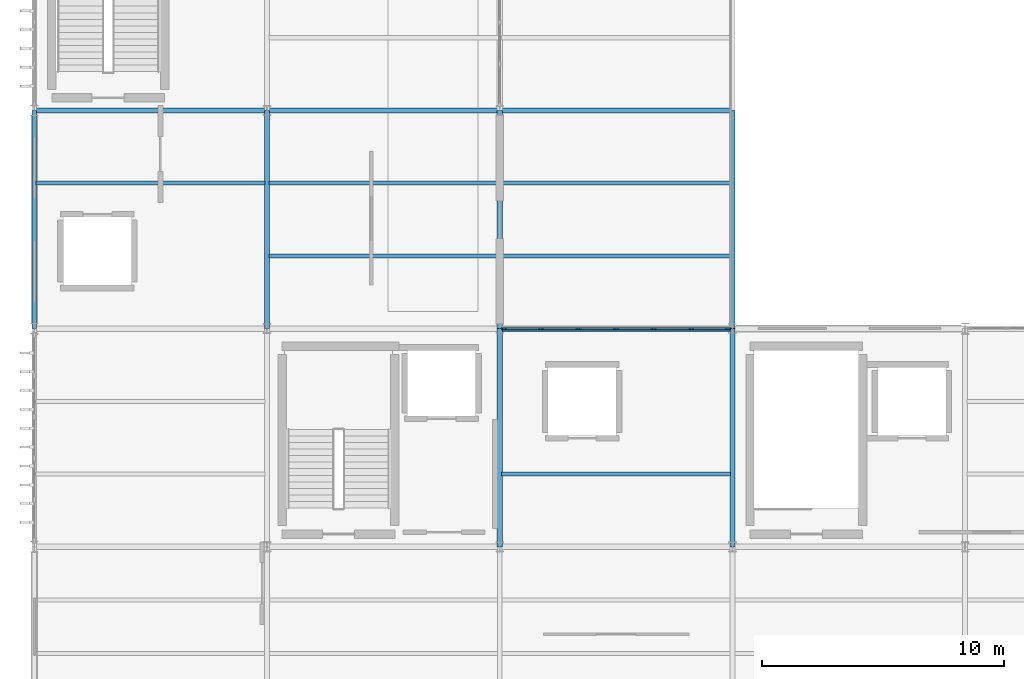
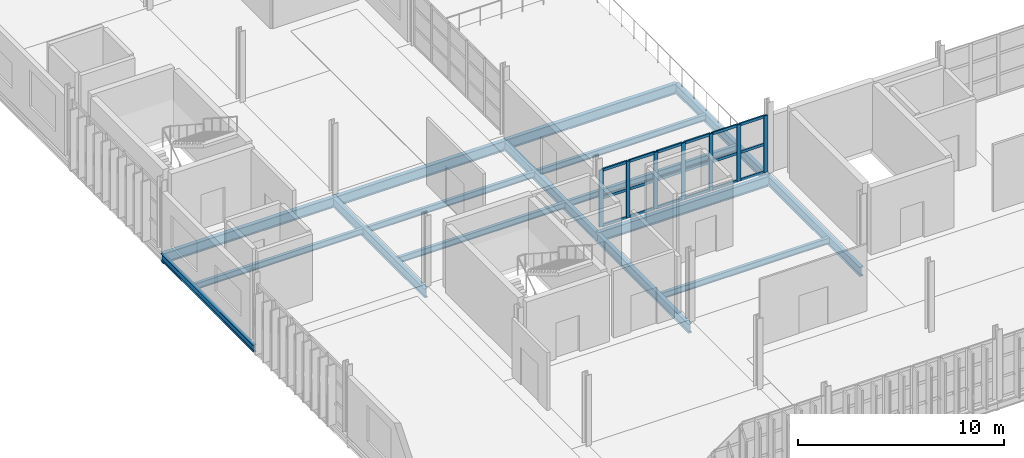
# One storey, part 7 of 38: 25 members, 16 beams, 1 element without a shape of its own.
"""IFC4 building model written with IfcOpenShell, lengths in metres."""

from ifc_helpers import new_model, si_unit, direction, frame, origin, origin_2d, place, context, subcontext, project, spatial, rectangle, i_section, extrude, material, layer, layer_set, material_profile, profile_set, type_object, element, aggregate, save


model = new_model("IFC4")

# Units and contexts
model_context = context("Model", 3, precision=1e-05, world=origin(), true_north=direction((0.0, 1.0)))
body_context = subcontext(model_context, "Body", "Model", "MODEL_VIEW")
ifc_project = project(units=[si_unit("LENGTHUNIT", "METRE"), si_unit("AREAUNIT", "SQUARE_METRE"), si_unit("VOLUMEUNIT", "CUBIC_METRE"), si_unit("PLANEANGLEUNIT", "RADIAN"), si_unit("MASSUNIT", "GRAM", prefix="KILO")], contexts=[model_context])

# Site, building, storey
site_placement = place(None, origin())
site = spatial("IfcSite", under=ifc_project, at=site_placement, CompositionType="ELEMENT")
building_placement = place(site_placement, origin())
building = spatial("IfcBuilding", under=site, at=building_placement, Name="Zarnetskaya Central Station", CompositionType="ELEMENT")
storey_placement = place(building_placement, frame((0.0, 0.0, 18.60009765625)))
storey = spatial("IfcBuildingStorey", under=building, at=storey_placement, Name="L04", CompositionType="ELEMENT", Elevation=18.60009765625)

# Beams
ifc_material_1 = material(Name="Steel S355", Category="steel")
ifc_material_profile_1 = material_profile(ifc_material_1, i_section(OverallWidth=0.169921875, OverallDepth=0.360107421875, WebThickness=0.008056640625, FlangeThickness=0.0126953125, FilletRadius=0.01806640625, at=origin_2d()), Name="IPE 360")
ifc_profile_set_1 = profile_set([ifc_material_profile_1], Name="Steel S355")
beam_type_1 = type_object("IfcBeamType", Name="BM-SEC-360", PredefinedType="BEAM", material=ifc_profile_set_1)
beam_1_placement = place(storey_placement, frame((0.080078125, 28.199951171875, -0.420166015625), z_axis=(1.0, 0.0, 0.0), x_axis=(0.0, 1.0, 0.0)))
element("IfcBeam", 1, at=beam_1_placement, inside=storey, type_object=beam_type_1, Name="Secondary floor beam SEC-L04-Z1836-AB-45-2", PredefinedType="BEAM", context=body_context, shape_type="SweptSolid", body=[
    extrude(i_section(OverallWidth=0.169921875, OverallDepth=0.360107421875, WebThickness=0.008056640625, FlangeThickness=0.0126953125, FilletRadius=0.01806640625, at=origin_2d()), origin(), (0.0, 0.0, 1.0), 9.43994140625),
])
for number, where, z_axis, x_axis, name in (
    (2, (9.679931640625, 25.199951171875, -0.420166015625), (1.0, 0.0, 0.0), (0.0, 1.0, 0.0), "Secondary floor beam SEC-L04-Z1836-BC-45-1"),
    (3, (9.679931640625, 28.199951171875, -0.420166015625), (1.0, 0.0, 0.0), (0.0, 1.0, 0.0), "Secondary floor beam SEC-L04-Z1836-BC-45-2"),
):
    element("IfcBeam", number, at=place(storey_placement, frame(where, z_axis=z_axis, x_axis=x_axis)), inside=storey, type_object=beam_type_1, Name=name, PredefinedType="BEAM", context=body_context, shape_type="SweptSolid", body=[
        extrude(i_section(OverallWidth=0.169921875, OverallDepth=0.360107421875, WebThickness=0.008056640625, FlangeThickness=0.0126953125, FilletRadius=0.01806640625, at=origin_2d()), origin(), (0.0, 0.0, 1.0), 9.440185546875),
    ])
for number, where, z_axis, x_axis, name in (
    (4, (19.280029296875, 16.199951171875, -0.420166015625), (1.0, 0.0, 0.0), (0.0, 1.0, 0.0), "Secondary floor beam SEC-L04-Z1836-CD-34-1"),
    (5, (19.280029296875, 25.199951171875, -0.400146484375), (1.0, 0.0, 0.0), (0.0, 1.0, 0.0), "Secondary floor beam SEC-L04-Z1838-CD-45-1"),
    (6, (19.280029296875, 28.199951171875, -0.400146484375), (1.0, 0.0, 0.0), (0.0, 1.0, 0.0), "Secondary floor beam SEC-L04-Z1838-CD-45-2"),
):
    element("IfcBeam", number, at=place(storey_placement, frame(where, z_axis=z_axis, x_axis=x_axis)), inside=storey, type_object=beam_type_1, Name=name, PredefinedType="BEAM", context=body_context, shape_type="SweptSolid", body=[
        extrude(i_section(OverallWidth=0.169921875, OverallDepth=0.360107421875, WebThickness=0.008056640625, FlangeThickness=0.0126953125, FilletRadius=0.01806640625, at=origin_2d()), origin(), (0.0, 0.0, 1.0), 9.43994140625),
    ])
ifc_material_profile_2 = material_profile(ifc_material_1, i_section(OverallWidth=0.179931640625, OverallDepth=0.39990234375, WebThickness=0.008544921875, FlangeThickness=0.013427734375, FilletRadius=0.02099609375, at=origin_2d()), Name="IPE 400")
ifc_profile_set_2 = profile_set([ifc_material_profile_2], Name="Steel S355")
beam_type_2 = type_object("IfcBeamType", Name="BM-SPN-V5", PredefinedType="SPANDREL", material=ifc_profile_set_2)
beam_2_placement = place(storey_placement, frame((0.0, 22.199951171875, -0.440185546875), z_axis=(0.0, 1.0, 0.0), x_axis=(-1.0, 0.0, 0.0)))
element("IfcBeam", 7, at=beam_2_placement, inside=storey, type_object=beam_type_2, Name="Grid girder GY-L04-A-45", PredefinedType="SPANDREL", context=body_context, shape_type="SweptSolid", body=[
    extrude(i_section(OverallWidth=0.179931640625, OverallDepth=0.39990234375, WebThickness=0.008544921875, FlangeThickness=0.013427734375, FilletRadius=0.02099609375, at=origin_2d()), origin(), (0.0, 0.0, 1.0), 9.0),
])

# Curtain wall, members
ifc_material_2 = material(Name="Low-E insulated glass", Category="glass")
ifc_layer = layer(ifc_material_2, 0.159912109375, Name="Low-E insulated glass", Category="glass")
ifc_layer_set = layer_set([ifc_layer], Name="Low-E insulated glass")
curtain_wall_type = type_object("IfcCurtainWallType", Name="CW-SYS-06", PredefinedType="USERDEFINED", material=ifc_layer_set)
curtain_wall_placement = place(storey_placement, origin())
curtain_wall = element("IfcCurtainWall", 8, at=curtain_wall_placement, inside=storey, type_object=curtain_wall_type, Name="Curtain wall CW-L04-054", ObjectType="CURTAIN WALL", PredefinedType="USERDEFINED")
ifc_material_3 = material(Name="Anodised aluminium", Category="aluminium")
ifc_material_profile_3 = material_profile(ifc_material_3, rectangle(XDim=0.080078125, YDim=0.219970703125, at=origin_2d()), Name="ALU MULL 80x220")
ifc_profile_set_3 = profile_set([ifc_material_profile_3], Name="Anodised aluminium")
member_type_1 = type_object("IfcMemberType", Name="CW-MULL-220", PredefinedType="MULLION", material=ifc_profile_set_3)
member_1_placement = place(storey_placement, frame((19.389892578125, 22.199951171875, 0.0), z_axis=(0.0, 0.0, 1.0), x_axis=(0.0, 1.0, 0.0)))
member_1 = element("IfcMember", 9, at=member_1_placement, type_object=member_type_1, Name="CW-02 mullion 1", PredefinedType="MULLION", context=body_context, shape_type="SweptSolid", body=[
    extrude(rectangle(XDim=0.080078125, YDim=0.219970703125, at=origin_2d()), origin(), (0.0, 0.0, 1.0), 3.35986328125),
])
member_2_placement = place(storey_placement, frame((20.89990234375, 22.199951171875, 0.0), z_axis=(0.0, 0.0, 1.0), x_axis=(0.0, 1.0, 0.0)))
member_2 = element("IfcMember", 10, at=member_2_placement, type_object=member_type_1, Name="CW-02 mullion 2", PredefinedType="MULLION", context=body_context, shape_type="SweptSolid", body=[
    extrude(rectangle(XDim=0.080078125, YDim=0.219970703125, at=origin_2d()), origin(), (0.0, 0.0, 1.0), 3.35986328125),
])
member_3_placement = place(storey_placement, frame((22.449951171875, 22.199951171875, 0.0), z_axis=(0.0, 0.0, 1.0), x_axis=(0.0, 1.0, 0.0)))
member_3 = element("IfcMember", 11, at=member_3_placement, type_object=member_type_1, Name="CW-02 mullion 3", PredefinedType="MULLION", context=body_context, shape_type="SweptSolid", body=[
    extrude(rectangle(XDim=0.080078125, YDim=0.219970703125, at=origin_2d()), origin(), (0.0, 0.0, 1.0), 3.35986328125),
])
member_4_placement = place(storey_placement, frame((24.0, 22.199951171875, 0.0), z_axis=(0.0, 0.0, 1.0), x_axis=(0.0, 1.0, 0.0)))
member_4 = element("IfcMember", 12, at=member_4_placement, type_object=member_type_1, Name="CW-02 mullion 4", PredefinedType="MULLION", context=body_context, shape_type="SweptSolid", body=[
    extrude(rectangle(XDim=0.080078125, YDim=0.219970703125, at=origin_2d()), origin(), (0.0, 0.0, 1.0), 3.35986328125),
])
member_5_placement = place(storey_placement, frame((25.550048828125, 22.199951171875, 0.0), z_axis=(0.0, 0.0, 1.0), x_axis=(0.0, 1.0, 0.0)))
member_5 = element("IfcMember", 13, at=member_5_placement, type_object=member_type_1, Name="CW-02 mullion 5", PredefinedType="MULLION", context=body_context, shape_type="SweptSolid", body=[
    extrude(rectangle(XDim=0.080078125, YDim=0.219970703125, at=origin_2d()), origin(), (0.0, 0.0, 1.0), 3.35986328125),
])
member_6_placement = place(storey_placement, frame((27.10009765625, 22.199951171875, 0.0), z_axis=(0.0, 0.0, 1.0), x_axis=(0.0, 1.0, 0.0)))
member_6 = element("IfcMember", 14, at=member_6_placement, type_object=member_type_1, Name="CW-02 mullion 6", PredefinedType="MULLION", context=body_context, shape_type="SweptSolid", body=[
    extrude(rectangle(XDim=0.080078125, YDim=0.219970703125, at=origin_2d()), origin(), (0.0, 0.0, 1.0), 3.35986328125),
])
member_7_placement = place(storey_placement, frame((28.610107421875, 22.199951171875, 0.0), z_axis=(0.0, 0.0, 1.0), x_axis=(0.0, 1.0, 0.0)))
member_7 = element("IfcMember", 15, at=member_7_placement, type_object=member_type_1, Name="CW-02 mullion 7", PredefinedType="MULLION", context=body_context, shape_type="SweptSolid", body=[
    extrude(rectangle(XDim=0.080078125, YDim=0.219970703125, at=origin_2d()), origin(), (0.0, 0.0, 1.0), 3.35986328125),
])
ifc_material_profile_4 = material_profile(ifc_material_3, rectangle(XDim=0.080078125, YDim=0.159912109375, at=origin_2d()), Name="ALU TRAN 80x160")
ifc_profile_set_4 = profile_set([ifc_material_profile_4], Name="Anodised aluminium")
member_type_2 = type_object("IfcMemberType", Name="CW-TRAN-160", PredefinedType="USERDEFINED", material=ifc_profile_set_4)
member_8_placement = place(storey_placement, frame((19.429931640625, 22.199951171875, 0.039794921875), z_axis=(1.0, 0.0, 0.0), x_axis=(0.0, 1.0, 0.0)))
member_8 = element("IfcMember", 16, at=member_8_placement, type_object=member_type_2, Name="CW-02 transom 1.1", ObjectType="TRANSOM", PredefinedType="USERDEFINED", context=body_context, shape_type="SweptSolid", body=[
    extrude(rectangle(XDim=0.080078125, YDim=0.159912109375, at=origin_2d()), origin(), (0.0, 0.0, 1.0), 1.43017578125),
])
member_9_placement = place(storey_placement, frame((19.429931640625, 22.199951171875, 1.679931640625), z_axis=(1.0, 0.0, 0.0), x_axis=(0.0, 1.0, 0.0)))
member_9 = element("IfcMember", 17, at=member_9_placement, type_object=member_type_2, Name="CW-02 transom 1.2", ObjectType="TRANSOM", PredefinedType="USERDEFINED", context=body_context, shape_type="SweptSolid", body=[
    extrude(rectangle(XDim=0.080078125, YDim=0.159912109375, at=origin_2d()), origin(), (0.0, 0.0, 1.0), 1.43017578125),
])
member_10_placement = place(storey_placement, frame((19.429931640625, 22.199951171875, 3.31982421875), z_axis=(1.0, 0.0, 0.0), x_axis=(0.0, 1.0, 0.0)))
member_10 = element("IfcMember", 18, at=member_10_placement, type_object=member_type_2, Name="CW-02 transom 1.3", ObjectType="TRANSOM", PredefinedType="USERDEFINED", context=body_context, shape_type="SweptSolid", body=[
    extrude(rectangle(XDim=0.080078125, YDim=0.159912109375, at=origin_2d()), origin(), (0.0, 0.0, 1.0), 1.43017578125),
])
member_11_placement = place(storey_placement, frame((20.93994140625, 22.199951171875, 0.039794921875), z_axis=(1.0, 0.0, 0.0), x_axis=(0.0, 1.0, 0.0)))
member_11 = element("IfcMember", 19, at=member_11_placement, type_object=member_type_2, Name="CW-02 transom 2.1", ObjectType="TRANSOM", PredefinedType="USERDEFINED", context=body_context, shape_type="SweptSolid", body=[
    extrude(rectangle(XDim=0.080078125, YDim=0.159912109375, at=origin_2d()), origin(), (0.0, 0.0, 1.0), 1.469970703125),
])
member_12_placement = place(storey_placement, frame((20.93994140625, 22.199951171875, 1.679931640625), z_axis=(1.0, 0.0, 0.0), x_axis=(0.0, 1.0, 0.0)))
member_12 = element("IfcMember", 20, at=member_12_placement, type_object=member_type_2, Name="CW-02 transom 2.2", ObjectType="TRANSOM", PredefinedType="USERDEFINED", context=body_context, shape_type="SweptSolid", body=[
    extrude(rectangle(XDim=0.080078125, YDim=0.159912109375, at=origin_2d()), origin(), (0.0, 0.0, 1.0), 1.469970703125),
])
member_13_placement = place(storey_placement, frame((20.93994140625, 22.199951171875, 3.31982421875), z_axis=(1.0, 0.0, 0.0), x_axis=(0.0, 1.0, 0.0)))
member_13 = element("IfcMember", 21, at=member_13_placement, type_object=member_type_2, Name="CW-02 transom 2.3", ObjectType="TRANSOM", PredefinedType="USERDEFINED", context=body_context, shape_type="SweptSolid", body=[
    extrude(rectangle(XDim=0.080078125, YDim=0.159912109375, at=origin_2d()), origin(), (0.0, 0.0, 1.0), 1.469970703125),
])
member_14_placement = place(storey_placement, frame((22.489990234375, 22.199951171875, 0.039794921875), z_axis=(1.0, 0.0, 0.0), x_axis=(0.0, 1.0, 0.0)))
member_14 = element("IfcMember", 22, at=member_14_placement, type_object=member_type_2, Name="CW-02 transom 3.1", ObjectType="TRANSOM", PredefinedType="USERDEFINED", context=body_context, shape_type="SweptSolid", body=[
    extrude(rectangle(XDim=0.080078125, YDim=0.159912109375, at=origin_2d()), origin(), (0.0, 0.0, 1.0), 1.469970703125),
])
member_15_placement = place(storey_placement, frame((22.489990234375, 22.199951171875, 1.679931640625), z_axis=(1.0, 0.0, 0.0), x_axis=(0.0, 1.0, 0.0)))
member_15 = element("IfcMember", 23, at=member_15_placement, type_object=member_type_2, Name="CW-02 transom 3.2", ObjectType="TRANSOM", PredefinedType="USERDEFINED", context=body_context, shape_type="SweptSolid", body=[
    extrude(rectangle(XDim=0.080078125, YDim=0.159912109375, at=origin_2d()), origin(), (0.0, 0.0, 1.0), 1.469970703125),
])
member_16_placement = place(storey_placement, frame((22.489990234375, 22.199951171875, 3.31982421875), z_axis=(1.0, 0.0, 0.0), x_axis=(0.0, 1.0, 0.0)))
member_16 = element("IfcMember", 24, at=member_16_placement, type_object=member_type_2, Name="CW-02 transom 3.3", ObjectType="TRANSOM", PredefinedType="USERDEFINED", context=body_context, shape_type="SweptSolid", body=[
    extrude(rectangle(XDim=0.080078125, YDim=0.159912109375, at=origin_2d()), origin(), (0.0, 0.0, 1.0), 1.469970703125),
])
member_17_placement = place(storey_placement, frame((24.0400390625, 22.199951171875, 0.039794921875), z_axis=(1.0, 0.0, 0.0), x_axis=(0.0, 1.0, 0.0)))
member_17 = element("IfcMember", 25, at=member_17_placement, type_object=member_type_2, Name="CW-02 transom 4.1", ObjectType="TRANSOM", PredefinedType="USERDEFINED", context=body_context, shape_type="SweptSolid", body=[
    extrude(rectangle(XDim=0.080078125, YDim=0.159912109375, at=origin_2d()), origin(), (0.0, 0.0, 1.0), 1.469970703125),
])
member_18_placement = place(storey_placement, frame((24.0400390625, 22.199951171875, 1.679931640625), z_axis=(1.0, 0.0, 0.0), x_axis=(0.0, 1.0, 0.0)))
member_18 = element("IfcMember", 26, at=member_18_placement, type_object=member_type_2, Name="CW-02 transom 4.2", ObjectType="TRANSOM", PredefinedType="USERDEFINED", context=body_context, shape_type="SweptSolid", body=[
    extrude(rectangle(XDim=0.080078125, YDim=0.159912109375, at=origin_2d()), origin(), (0.0, 0.0, 1.0), 1.469970703125),
])
member_19_placement = place(storey_placement, frame((24.0400390625, 22.199951171875, 3.31982421875), z_axis=(1.0, 0.0, 0.0), x_axis=(0.0, 1.0, 0.0)))
member_19 = element("IfcMember", 27, at=member_19_placement, type_object=member_type_2, Name="CW-02 transom 4.3", ObjectType="TRANSOM", PredefinedType="USERDEFINED", context=body_context, shape_type="SweptSolid", body=[
    extrude(rectangle(XDim=0.080078125, YDim=0.159912109375, at=origin_2d()), origin(), (0.0, 0.0, 1.0), 1.469970703125),
])
member_20_placement = place(storey_placement, frame((25.590087890625, 22.199951171875, 0.039794921875), z_axis=(1.0, 0.0, 0.0), x_axis=(0.0, 1.0, 0.0)))
member_20 = element("IfcMember", 28, at=member_20_placement, type_object=member_type_2, Name="CW-02 transom 5.1", ObjectType="TRANSOM", PredefinedType="USERDEFINED", context=body_context, shape_type="SweptSolid", body=[
    extrude(rectangle(XDim=0.080078125, YDim=0.159912109375, at=origin_2d()), origin(), (0.0, 0.0, 1.0), 1.469970703125),
])
member_21_placement = place(storey_placement, frame((25.590087890625, 22.199951171875, 1.679931640625), z_axis=(1.0, 0.0, 0.0), x_axis=(0.0, 1.0, 0.0)))
member_21 = element("IfcMember", 29, at=member_21_placement, type_object=member_type_2, Name="CW-02 transom 5.2", ObjectType="TRANSOM", PredefinedType="USERDEFINED", context=body_context, shape_type="SweptSolid", body=[
    extrude(rectangle(XDim=0.080078125, YDim=0.159912109375, at=origin_2d()), origin(), (0.0, 0.0, 1.0), 1.469970703125),
])
member_22_placement = place(storey_placement, frame((25.590087890625, 22.199951171875, 3.31982421875), z_axis=(1.0, 0.0, 0.0), x_axis=(0.0, 1.0, 0.0)))
member_22 = element("IfcMember", 30, at=member_22_placement, type_object=member_type_2, Name="CW-02 transom 5.3", ObjectType="TRANSOM", PredefinedType="USERDEFINED", context=body_context, shape_type="SweptSolid", body=[
    extrude(rectangle(XDim=0.080078125, YDim=0.159912109375, at=origin_2d()), origin(), (0.0, 0.0, 1.0), 1.469970703125),
])
member_23_placement = place(storey_placement, frame((27.139892578125, 22.199951171875, 0.039794921875), z_axis=(1.0, 0.0, 0.0), x_axis=(0.0, 1.0, 0.0)))
member_23 = element("IfcMember", 31, at=member_23_placement, type_object=member_type_2, Name="CW-02 transom 6.1", ObjectType="TRANSOM", PredefinedType="USERDEFINED", context=body_context, shape_type="SweptSolid", body=[
    extrude(rectangle(XDim=0.080078125, YDim=0.159912109375, at=origin_2d()), origin(), (0.0, 0.0, 1.0), 1.43017578125),
])
member_24_placement = place(storey_placement, frame((27.139892578125, 22.199951171875, 1.679931640625), z_axis=(1.0, 0.0, 0.0), x_axis=(0.0, 1.0, 0.0)))
member_24 = element("IfcMember", 32, at=member_24_placement, type_object=member_type_2, Name="CW-02 transom 6.2", ObjectType="TRANSOM", PredefinedType="USERDEFINED", context=body_context, shape_type="SweptSolid", body=[
    extrude(rectangle(XDim=0.080078125, YDim=0.159912109375, at=origin_2d()), origin(), (0.0, 0.0, 1.0), 1.43017578125),
])
member_25_placement = place(storey_placement, frame((27.139892578125, 22.199951171875, 3.31982421875), z_axis=(1.0, 0.0, 0.0), x_axis=(0.0, 1.0, 0.0)))
member_25 = element("IfcMember", 33, at=member_25_placement, type_object=member_type_2, Name="CW-02 transom 6.3", ObjectType="TRANSOM", PredefinedType="USERDEFINED", context=body_context, shape_type="SweptSolid", body=[
    extrude(rectangle(XDim=0.080078125, YDim=0.159912109375, at=origin_2d()), origin(), (0.0, 0.0, 1.0), 1.43017578125),
])
aggregate(curtain_wall, [member_1, member_2, member_3, member_4, member_5, member_6, member_7, member_8, member_9, member_10, member_11, member_12, member_13, member_14, member_15, member_16, member_17, member_18, member_19, member_20, member_21, member_22, member_23, member_24, member_25])

# Beams
ifc_material_profile_5 = material_profile(ifc_material_1, i_section(OverallWidth=0.2099609375, OverallDepth=0.550048828125, WebThickness=0.010986328125, FlangeThickness=0.01708984375, FilletRadius=0.02392578125, at=origin_2d()), Name="IPE 550")
ifc_profile_set_5 = profile_set([ifc_material_profile_5], Name="Steel S355")
beam_type_3 = type_object("IfcBeamType", Name="GD-FLR-550", PredefinedType="USERDEFINED", material=ifc_profile_set_5)
for number, where, z_axis, x_axis, name in (
    (34, (9.60009765625, 22.199951171875, -0.51513671875), (0.0, 1.0, 0.0), (-1.0, 0.0, 0.0), "Grid girder GY-L04-B-45"),
    (35, (19.199951171875, 13.199951171875, -0.51513671875), (0.0, 1.0, 0.0), (-1.0, 0.0, 0.0), "Grid girder GY-L04-C-34"),
    (36, (19.199951171875, 22.199951171875, -0.51513671875), (0.0, 1.0, 0.0), (-1.0, 0.0, 0.0), "Grid girder GY-L04-C-45"),
    (37, (28.800048828125, 13.199951171875, -0.51513671875), (0.0, 1.0, 0.0), (-1.0, 0.0, 0.0), "Grid girder GY-L04-D-34"),
    (38, (28.800048828125, 22.199951171875, -0.4951171875), (0.0, 1.0, 0.0), (-1.0, 0.0, 0.0), "Grid girder GY-L04-D-45"),
):
    element("IfcBeam", number, at=place(storey_placement, frame(where, z_axis=z_axis, x_axis=x_axis)), inside=storey, type_object=beam_type_3, Name=name, ObjectType="GIRDER", PredefinedType="USERDEFINED", context=body_context, shape_type="SweptSolid", body=[
        extrude(i_section(OverallWidth=0.2099609375, OverallDepth=0.550048828125, WebThickness=0.010986328125, FlangeThickness=0.01708984375, FilletRadius=0.02392578125, at=origin_2d()), origin(), (0.0, 0.0, 1.0), 9.0),
    ])
ifc_material_profile_6 = material_profile(ifc_material_1, i_section(OverallWidth=0.219970703125, OverallDepth=0.60009765625, WebThickness=0.011962890625, FlangeThickness=0.01904296875, FilletRadius=0.02392578125, at=origin_2d()), Name="IPE 600")
ifc_profile_set_6 = profile_set([ifc_material_profile_6], Name="Steel S355")
beam_type_4 = type_object("IfcBeamType", Name="GD-FLR-600", PredefinedType="USERDEFINED", material=ifc_profile_set_6)
beam_3_placement = place(storey_placement, frame((0.0, 31.199951171875, -0.5400390625), z_axis=(1.0, 0.0, 0.0), x_axis=(0.0, 1.0, 0.0)))
element("IfcBeam", 39, at=beam_3_placement, inside=storey, type_object=beam_type_4, Name="Grid girder GX-L04-5-AB", ObjectType="GIRDER", PredefinedType="USERDEFINED", context=body_context, shape_type="SweptSolid", body=[
    extrude(i_section(OverallWidth=0.219970703125, OverallDepth=0.60009765625, WebThickness=0.011962890625, FlangeThickness=0.01904296875, FilletRadius=0.02392578125, at=origin_2d()), origin(), (0.0, 0.0, 1.0), 9.60009765625),
])
beam_4_placement = place(storey_placement, frame((9.60009765625, 31.199951171875, -0.5400390625), z_axis=(1.0, 0.0, 0.0), x_axis=(0.0, 1.0, 0.0)))
element("IfcBeam", 40, at=beam_4_placement, inside=storey, type_object=beam_type_4, Name="Grid girder GX-L04-5-BC", ObjectType="GIRDER", PredefinedType="USERDEFINED", context=body_context, shape_type="SweptSolid", body=[
    extrude(i_section(OverallWidth=0.219970703125, OverallDepth=0.60009765625, WebThickness=0.011962890625, FlangeThickness=0.01904296875, FilletRadius=0.02392578125, at=origin_2d()), origin(), (0.0, 0.0, 1.0), 9.599853515625),
])
for number, where, z_axis, x_axis, name in (
    (41, (19.199951171875, 22.199951171875, -0.5400390625), (1.0, 0.0, 0.0), (0.0, 1.0, 0.0), "Grid girder GX-L04-4-CD"),
    (42, (19.199951171875, 31.199951171875, -0.52001953125), (1.0, 0.0, 0.0), (0.0, 1.0, 0.0), "Grid girder GX-L04-5-CD"),
):
    element("IfcBeam", number, at=place(storey_placement, frame(where, z_axis=z_axis, x_axis=x_axis)), inside=storey, type_object=beam_type_4, Name=name, ObjectType="GIRDER", PredefinedType="USERDEFINED", context=body_context, shape_type="SweptSolid", body=[
        extrude(i_section(OverallWidth=0.219970703125, OverallDepth=0.60009765625, WebThickness=0.011962890625, FlangeThickness=0.01904296875, FilletRadius=0.02392578125, at=origin_2d()), origin(), (0.0, 0.0, 1.0), 9.60009765625),
    ])

save(model, "model.ifc")
